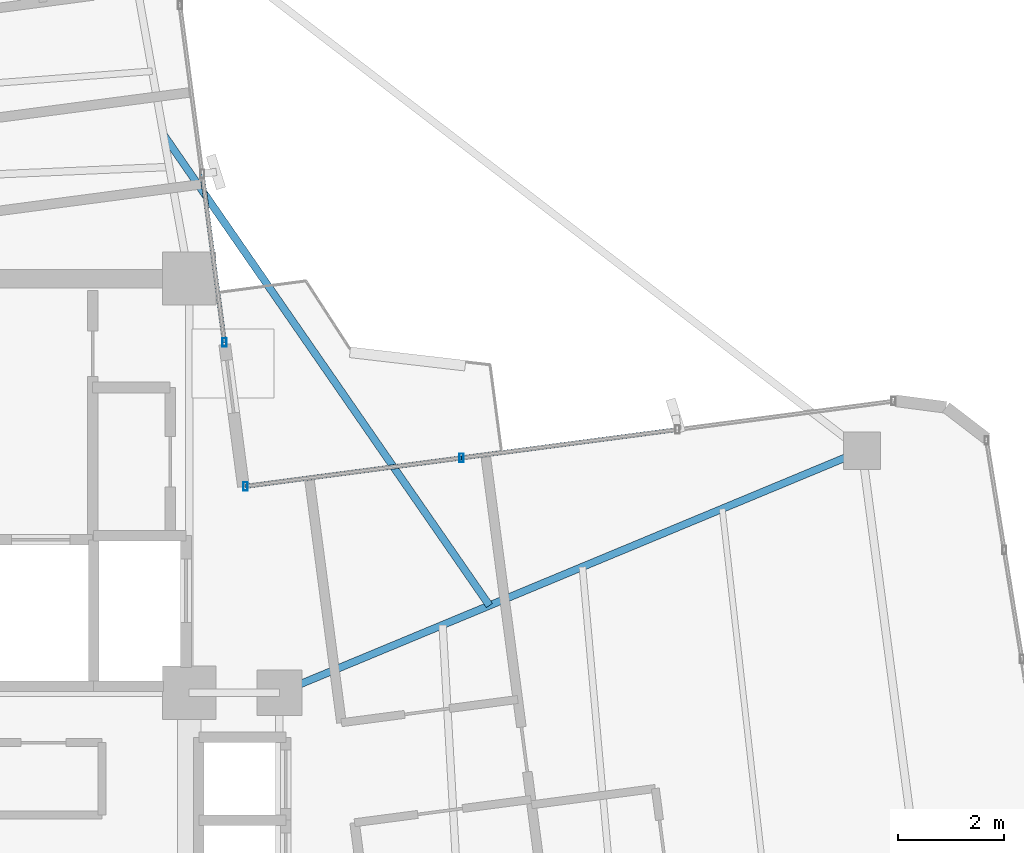
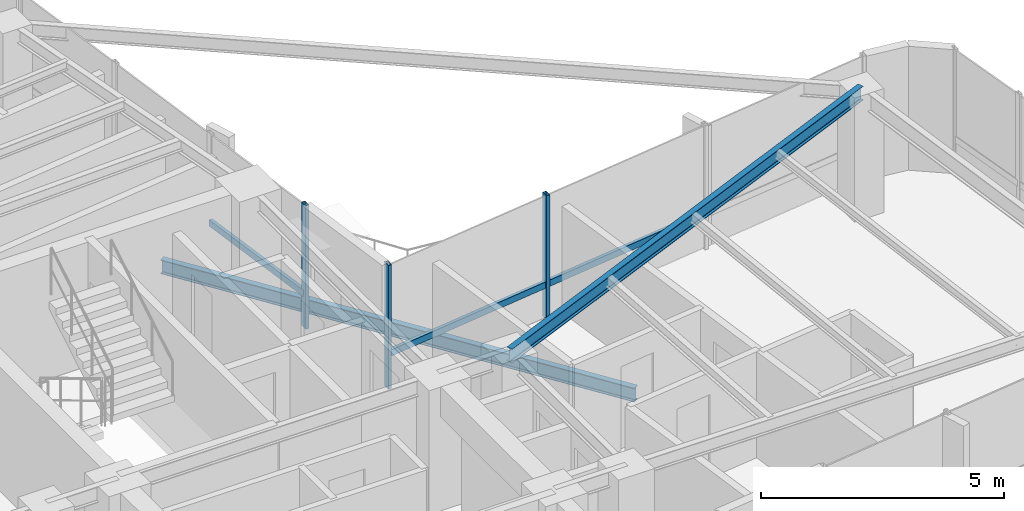
# One storey, part 11 of 22: 6 members, 2 beams, 2 elements without a shape of their own.
"""IFC4 building model written with IfcOpenShell, lengths in metres."""

import ifcopenshell
import ifcopenshell.guid

model = None  # the IFC model being written
_history = None  # IfcOwnerHistory: only IFC2X3 demands one
_inside = {}  # id of a spatial element -> (the spatial element, [elements in it])
_under = {}  # id of a project, library or spatial element -> (it, [spatial elements below it])
_declared = {}  # id of a project -> (the project, [libraries it declares])
_typed = {}  # id of a type object -> (the type object, [elements of that type])
_made_of = {}  # id of a material, layer set ... -> (it, [elements and type objects made of it])


def new_model(schema):
    """Start an empty IFC model of exactly this schema.

    Asked for "IFC4X3", IfcOpenShell would pick the latest addendum, in which some entities
    have other attributes; the version numbers below select the first issue.
    IFC2X3 requires an IfcOwnerHistory on every rooted entity: one is made here for all.
    """
    global model, _history
    if schema == "IFC4X3":
        model = ifcopenshell.file(schema_version=(4, 3, 0, 0))
    else:
        model = ifcopenshell.file(schema=schema)
    _inside.clear()
    _under.clear()
    _declared.clear()
    _typed.clear()
    _made_of.clear()
    _history = None
    if model.schema == "IFC2X3":
        org = make("IfcOrganization", Name="unknown")
        user = make(
            "IfcPersonAndOrganization",
            ThePerson=make("IfcPerson", FamilyName="unknown"),
            TheOrganization=org,
        )
        app = make(
            "IfcApplication",
            ApplicationDeveloper=org,
            Version="unknown",
            ApplicationFullName="unknown",
            ApplicationIdentifier="unknown",
        )
        _history = make(
            "IfcOwnerHistory",
            OwningUser=user,
            OwningApplication=app,
            ChangeAction="ADDED",
            CreationDate=0,
        )
    return model


def make(cls, **values):
    """One entity of the class cls with the attributes given. An attribute that is None is left unset."""
    return model.create_entity(
        cls, **{name: value for name, value in values.items() if value is not None}
    )


def rooted(cls, **values):
    """An entity with a GlobalId (a new one), such as an element, a storey or a relation."""
    return make(cls, GlobalId=ifcopenshell.guid.new(), OwnerHistory=_history, **values)


def si_unit(unit_type, name, prefix=None):
    """IfcSIUnit, for example si_unit("LENGTHUNIT", "METRE", prefix="MILLI")."""
    return make("IfcSIUnit", UnitType=unit_type, Prefix=prefix, Name=name)


def assignment(units):
    """IfcUnitAssignment: the units of a project."""
    return None if units is None else make("IfcUnitAssignment", Units=units)


def point(xyz):
    """IfcCartesianPoint."""
    return None if xyz is None else make("IfcCartesianPoint", Coordinates=xyz)


def direction(xyz):
    """IfcDirection."""
    return None if xyz is None else make("IfcDirection", DirectionRatios=xyz)


def frame(location, z_axis=None, x_axis=None):
    """IfcAxis2Placement3D, a coordinate frame: its origin and axes. An axis left out is left unset."""
    return make(
        "IfcAxis2Placement3D",
        Location=point(location),
        Axis=direction(z_axis),
        RefDirection=direction(x_axis),
    )


def frame_2d(location, x_axis=None):
    """IfcAxis2Placement2D, a coordinate frame in the plane: its origin and x axis."""
    return make(
        "IfcAxis2Placement2D", Location=point(location), RefDirection=direction(x_axis)
    )


def origin():
    """The frame at (0, 0, 0) with its axes left unset."""
    return frame((0.0, 0.0, 0.0))


def origin_2d():
    """The frame at (0, 0) in the plane with its x axis left unset."""
    return frame_2d((0.0, 0.0))


def place(relative_to, where):
    """IfcLocalPlacement: puts the frame where relative to a parent placement (None: the world)."""
    return make(
        "IfcLocalPlacement", PlacementRelTo=relative_to, RelativePlacement=where
    )


def context(
    kind, dimensions, precision=None, world=None, true_north=None, identifier=None
):
    """IfcGeometricRepresentationContext, for example the 3D "Model" context."""
    return make(
        "IfcGeometricRepresentationContext",
        ContextIdentifier=identifier,
        ContextType=kind,
        CoordinateSpaceDimension=dimensions,
        Precision=precision,
        WorldCoordinateSystem=world,
        TrueNorth=true_north,
    )


def subcontext(parent, identifier, kind, view, scale=None):
    """IfcGeometricRepresentationSubContext, for example "Body" below "Model"."""
    return make(
        "IfcGeometricRepresentationSubContext",
        ContextIdentifier=identifier,
        ContextType=kind,
        ParentContext=parent,
        TargetScale=scale,
        TargetView=view,
    )


def project(units=None, contexts=None):
    """IfcProject with its units and contexts."""
    return rooted(
        "IfcProject",
        Name="project",
        RepresentationContexts=contexts,
        UnitsInContext=assignment(units),
    )


def spatial(cls, under=None, at=None, **own):
    """A site, building, storey or space (cls), placed at a placement, below another one or the project."""
    s = rooted(cls, ObjectPlacement=at, **own)
    if under is not None:
        _under.setdefault(under.id(), (under, []))[1].append(s)
    return s


def profile(cls, at=None, kind="AREA", **sizes):
    """A parametric profile (cls). Its sizes go by their IFC names, for example OverallWidth=200.0."""
    return make(cls, ProfileType=kind, Position=at, **sizes)


def hollow_rectangle(**sizes):
    """IfcRectangleHollowProfileDef."""
    return profile("IfcRectangleHollowProfileDef", **sizes)


def i_section(**sizes):
    """IfcIShapeProfileDef."""
    return profile("IfcIShapeProfileDef", **sizes)


def extrude(swept, where, along, depth):
    """IfcExtrudedAreaSolid: the profile swept, set in the frame where, extruded along a direction by depth."""
    return make(
        "IfcExtrudedAreaSolid",
        SweptArea=swept,
        Position=where,
        ExtrudedDirection=direction(along),
        Depth=depth,
    )


def shape(context_of_items, identifier, shape_type, items):
    """IfcShapeRepresentation: the items that make up one representation, for example the "Body"."""
    return make(
        "IfcShapeRepresentation",
        ContextOfItems=context_of_items,
        RepresentationIdentifier=identifier,
        RepresentationType=shape_type,
        Items=items,
    )


def source(mapping_origin, context_of_items, identifier, shape_type, items):
    """IfcRepresentationMap: a shape defined once, which mapped items show again and again."""
    return make(
        "IfcRepresentationMap",
        MappingOrigin=mapping_origin,
        MappedRepresentation=shape(context_of_items, identifier, shape_type, items),
    )


def transform(
    local_origin,
    x_axis=None,
    y_axis=None,
    z_axis=None,
    scale=None,
    scale2=None,
    scale3=None,
    uniform=True,
):
    """IfcCartesianTransformationOperator3D, or its non-uniform kind. x_axis, y_axis, z_axis: its Axis1, 2, 3."""
    if uniform:
        return make(
            "IfcCartesianTransformationOperator3D",
            Axis1=direction(x_axis),
            Axis2=direction(y_axis),
            LocalOrigin=point(local_origin),
            Scale=scale,
            Axis3=direction(z_axis),
        )
    return make(
        "IfcCartesianTransformationOperator3DnonUniform",
        Axis1=direction(x_axis),
        Axis2=direction(y_axis),
        LocalOrigin=point(local_origin),
        Scale=scale,
        Axis3=direction(z_axis),
        Scale2=scale2,
        Scale3=scale3,
    )


def mapped(mapping_source, mapping_target):
    """IfcMappedItem: shows the shape of a source again, moved by a transform."""
    return make(
        "IfcMappedItem", MappingSource=mapping_source, MappingTarget=mapping_target
    )


def material(Name=None, Category=None):
    """IfcMaterial."""
    return make("IfcMaterial", Name=Name, Category=Category)


def material_profile(
    of_material, cross_section, Name=None, Category=None, Priority=None
):
    """IfcMaterialProfile: a cross section and its material."""
    return make(
        "IfcMaterialProfile",
        Name=Name,
        Material=of_material,
        Profile=cross_section,
        Priority=Priority,
        Category=Category,
    )


def profile_set(profiles, Name=None, composite=None):
    """IfcMaterialProfileSet."""
    return make(
        "IfcMaterialProfileSet",
        Name=Name,
        MaterialProfiles=profiles,
        CompositeProfile=composite,
    )


def made_of(thing, what):
    """Note that an element or type object is made of a material, layer set ...; save() writes the relation."""
    if what is not None:
        _made_of.setdefault(what.id(), (what, []))[1].append(thing)
    return thing


def type_object(cls, material=None, **own):
    """A type object (cls), such as IfcWallType, which elements share."""
    return made_of(rooted(cls, **own), material)


def element(
    cls,
    number,
    at=None,
    inside=None,
    cuts=None,
    type_object=None,
    material=None,
    context=None,
    identifier="Body",
    shape_type=None,
    held_by="IfcProductDefinitionShape",
    body=None,
    shapes=None,
    **own,
):
    """One element of the class cls, such as IfcWall. Its Tag is "e" and its number.

    at: its placement. inside: the storey or other place that contains it. cuts: it is an
    opening in that element (IfcRelVoidsElement). A single representation is given by context,
    identifier, shape_type and body (its items); several are given by shapes. held_by: the class
    of the entity that holds the representations. save() writes the other relations.
    """
    e = rooted(cls, Tag="e%d" % number, ObjectPlacement=at, **own)
    if body is not None:
        shapes = [shape(context, identifier, shape_type, body)]
    if shapes is not None:
        e.Representation = make(held_by, Representations=shapes)
    if inside is not None:
        _inside.setdefault(inside.id(), (inside, []))[1].append(e)
    if cuts is not None:
        rooted(
            "IfcRelVoidsElement", RelatingBuildingElement=cuts, RelatedOpeningElement=e
        )
    if type_object is not None:
        _typed.setdefault(type_object.id(), (type_object, []))[1].append(e)
    return made_of(e, material)


def aggregate(whole, parts):
    """IfcRelAggregates: a whole, such as a stair, and the parts it consists of."""
    return rooted("IfcRelAggregates", RelatingObject=whole, RelatedObjects=parts)


def save(model, path):
    """Write the relations noted so far, then the file.

    IfcRelAggregates (storeys below a building ...), IfcRelContainedInSpatialStructure (elements
    in a storey), IfcRelDefinesByType, IfcRelAssociatesMaterial and IfcRelDeclares: one each for
    every whole, place, type object, material and project.
    """
    for whole, parts in _under.values():
        aggregate(whole, parts)
    for where, things in _inside.values():
        rooted(
            "IfcRelContainedInSpatialStructure",
            RelatedElements=things,
            RelatingStructure=where,
        )
    for kind, things in _typed.values():
        rooted("IfcRelDefinesByType", RelatedObjects=things, RelatingType=kind)
    for what, things in _made_of.values():
        rooted("IfcRelAssociatesMaterial", RelatedObjects=things, RelatingMaterial=what)
    for by, libraries in _declared.values():
        rooted("IfcRelDeclares", RelatingContext=by, RelatedDefinitions=libraries)
    model.write(path)


model = new_model("IFC4")

# Units and contexts
model_context = context("Model", 3, precision=1e-05, world=origin(), true_north=direction((0.0, 1.0)))
body_context = subcontext(model_context, "Body", "Model", "MODEL_VIEW")
ifc_project = project(units=[si_unit("LENGTHUNIT", "METRE"), si_unit("AREAUNIT", "SQUARE_METRE"), si_unit("VOLUMEUNIT", "CUBIC_METRE"), si_unit("PLANEANGLEUNIT", "RADIAN"), si_unit("MASSUNIT", "GRAM", prefix="KILO")], contexts=[model_context])

# Site, building, storey
site_placement = place(None, origin())
site = spatial("IfcSite", under=ifc_project, at=site_placement, CompositionType="ELEMENT")
building_placement = place(site_placement, origin())
building = spatial("IfcBuilding", under=site, at=building_placement, Name="Sahyath Konkavel Grand Hotel", CompositionType="ELEMENT")
storey_placement = place(building_placement, frame((0.0, 0.0, 257.89990234375)))
storey = spatial("IfcBuildingStorey", under=building, at=storey_placement, Name="L72", CompositionType="ELEMENT", Elevation=257.89990234375)

# Beam
ifc_material_1 = material(Name="Steel E350", Category="steel")
ifc_material_profile_1 = material_profile(ifc_material_1, i_section(OverallWidth=0.139892578125, OverallDepth=0.35009765625, WebThickness=0.008056640625, FlangeThickness=0.01416015625, FilletRadius=0.013916015625, at=origin_2d()), Name="ISMB 350")
ifc_profile_set_1 = profile_set([ifc_material_profile_1], Name="Steel E350")
beam_type_1 = type_object("IfcBeamType", Name="BM-ISMB350", PredefinedType="BEAM", material=ifc_profile_set_1)
shared_shape_1 = source(origin(), body_context, "Body", "SweptSolid", [
    extrude(i_section(OverallWidth=0.139892578125, OverallDepth=0.35009765625, WebThickness=0.008056640625, FlangeThickness=0.01416015625, FilletRadius=0.013916015625, at=origin_2d()), origin(), (0.0, 0.0, 1.0), 11.882080078125),
])
beam_1_placement = place(storey_placement, frame((5.5, 2.39990234375, 2.93505859375), z_axis=(0.923435785797, 0.383752979804, 0.0), x_axis=(-0.383752979804, 0.923435785797, 0.0)))
element("IfcBeam", 1, at=beam_1_placement, inside=storey, type_object=beam_type_1, Name="L72 Cruciform Radial Girder EB", PredefinedType="BEAM", context=body_context, shape_type="MappedRepresentation", body=[
    mapped(shared_shape_1, transform((0.0, 0.0, 0.0), scale=1.0)),
])

# Curtain wall, members
ifc_material_2 = material(Name="Anodised Bronze Aluminium & Low-E Glazing", Category="aluminium")
curtain_wall_type = type_object("IfcCurtainWallType", Name="CW-ZONE4", PredefinedType="NOTDEFINED", material=ifc_material_2)
curtain_wall_1_placement = place(storey_placement, origin())
curtain_wall_1 = element("IfcCurtainWall", 2, at=curtain_wall_1_placement, inside=storey, type_object=curtain_wall_type, Name="L72 Unitised Curtain Wall F7", PredefinedType="NOTDEFINED")
ifc_material_3 = material(Name="Anodised Bronze Aluminium", Category="aluminium")
ifc_material_profile_2 = material_profile(ifc_material_3, hollow_rectangle(XDim=0.080078125, YDim=0.159912109375, WallThickness=0.006103515625, at=origin_2d()), Name="RHS 160x80x6")
ifc_profile_set_2 = profile_set([ifc_material_profile_2], Name="Anodised Bronze Aluminium")
member_type_1 = type_object("IfcMemberType", Name="CW-MUL-160", PredefinedType="MULLION", material=ifc_profile_set_2)
shared_shape_2 = source(origin(), body_context, "Body", "SweptSolid", [
    extrude(hollow_rectangle(XDim=0.080078125, YDim=0.159912109375, WallThickness=0.006103515625, at=origin_2d()), origin(), (0.0, 0.0, 1.0), 3.110107421875),
])
member_1_placement = place(storey_placement, frame((8.928955078125, 6.82373046875, 0.0), z_axis=(0.0, 0.0, 1.0), x_axis=(1.0, 0.0, 0.0)))
member_1 = element("IfcMember", 3, at=member_1_placement, type_object=member_type_1, Name="L72 Curtain Wall Mullion F7-2", PredefinedType="MULLION", context=body_context, shape_type="MappedRepresentation", body=[
    mapped(shared_shape_2, transform((0.0, 0.0, 0.0), scale=1.0)),
])
member_2_placement = place(storey_placement, frame((4.86083984375, 6.2880859375, 0.0), z_axis=(0.0, 0.0, 1.0), x_axis=(1.0, 0.0, 0.0)))
member_2 = element("IfcMember", 4, at=member_2_placement, type_object=member_type_1, Name="L72 Curtain Wall Mullion F7-3", PredefinedType="MULLION", context=body_context, shape_type="MappedRepresentation", body=[
    mapped(shared_shape_2, transform((0.0, 0.0, 0.0), scale=1.0)),
])

curtain_wall_2_placement = place(storey_placement, origin())
curtain_wall_2 = element("IfcCurtainWall", 5, at=curtain_wall_2_placement, inside=storey, type_object=curtain_wall_type, Name="L72 Unitised Curtain Wall F8", PredefinedType="NOTDEFINED")
member_3_placement = place(storey_placement, frame((4.46337890625, 8.99951171875, 0.0), z_axis=(0.0, 0.0, 1.0), x_axis=(1.0, 0.0, 0.0)))
member_3 = element("IfcMember", 6, at=member_3_placement, type_object=member_type_1, Name="L72 Curtain Wall Mullion F8-0", PredefinedType="MULLION", context=body_context, shape_type="MappedRepresentation", body=[
    mapped(shared_shape_2, transform((0.0, 0.0, 0.0), scale=1.0)),
])
ifc_material_profile_3 = material_profile(ifc_material_3, hollow_rectangle(XDim=0.080078125, YDim=0.159912109375, WallThickness=0.006103515625, at=origin_2d()), Name="RHS 160x80x6")
ifc_profile_set_3 = profile_set([ifc_material_profile_3], Name="Anodised Bronze Aluminium")
member_type_2 = type_object("IfcMemberType", Name="CW-TRN-160", PredefinedType="USERDEFINED", material=ifc_profile_set_3)
shared_shape_3 = source(origin(), body_context, "Body", "SweptSolid", [
    extrude(hollow_rectangle(XDim=0.080078125, YDim=0.159912109375, WallThickness=0.006103515625, at=origin_2d()), origin(), (0.0, 0.0, 1.0), 3.203369140625),
])
member_4_placement = place(storey_placement, frame((4.46337890625, 8.99951171875, 0.85009765625), z_axis=(-0.130476198668, 0.991451441867, 0.0), x_axis=(-0.991451441867, -0.130476198668, 0.0)))
member_4 = element("IfcMember", 7, at=member_4_placement, type_object=member_type_2, Name="L72 Curtain Wall Transom F8-0-spandrel", ObjectType="TRANSOM", PredefinedType="USERDEFINED", context=body_context, shape_type="MappedRepresentation", body=[
    mapped(shared_shape_3, transform((0.0, 0.0, 0.0), scale=1.0)),
])
aggregate(curtain_wall_2, [member_3, member_4])

# Member
shared_shape_4 = source(origin(), body_context, "Body", "SweptSolid", [
    extrude(hollow_rectangle(XDim=0.080078125, YDim=0.159912109375, WallThickness=0.006103515625, at=origin_2d()), origin(), (0.0, 0.0, 1.0), 4.103271484375),
])
member_5_placement = place(storey_placement, frame((8.928955078125, 6.82373046875, 0.85009765625), z_axis=(-0.991442748161, -0.130542242661, 0.0), x_axis=(0.130542242661, -0.991442748161, 0.0)))
member_5 = element("IfcMember", 8, at=member_5_placement, type_object=member_type_2, Name="L72 Curtain Wall Transom F7-2-spandrel", ObjectType="TRANSOM", PredefinedType="USERDEFINED", context=body_context, shape_type="MappedRepresentation", body=[
    mapped(shared_shape_4, transform((0.0, 0.0, 0.0), scale=1.0)),
])

shared_shape_5 = source(origin(), body_context, "Body", "SweptSolid", [
    extrude(hollow_rectangle(XDim=0.080078125, YDim=0.159912109375, WallThickness=0.006103515625, at=origin_2d()), origin(), (0.0, 0.0, 1.0), 4.103515625),
])
member_6_placement = place(storey_placement, frame((12.997314453125, 7.359619140625, 0.85009765625), z_axis=(-0.991436060505, -0.130593024052, 0.0), x_axis=(0.130593024052, -0.991436060505, 0.0)))
member_6 = element("IfcMember", 9, at=member_6_placement, type_object=member_type_2, Name="L72 Curtain Wall Transom F7-1-spandrel", ObjectType="TRANSOM", PredefinedType="USERDEFINED", context=body_context, shape_type="MappedRepresentation", body=[
    mapped(shared_shape_5, transform((0.0, 0.0, 0.0), scale=1.0)),
])

aggregate(curtain_wall_1, [member_1, member_2, member_6, member_5])

# Beam
ifc_material_profile_4 = material_profile(ifc_material_1, i_section(OverallWidth=0.139892578125, OverallDepth=0.35009765625, WebThickness=0.008056640625, FlangeThickness=0.01416015625, FilletRadius=0.013916015625, at=origin_2d()), Name="ISMB 350")
ifc_profile_set_4 = profile_set([ifc_material_profile_4], Name="Steel E350")
beam_type_2 = type_object("IfcBeamType", Name="BM-BALC-CANT", PredefinedType="BEAM", material=ifc_profile_set_4)
shared_shape_6 = source(origin(), body_context, "Body", "SweptSolid", [
    extrude(i_section(OverallWidth=0.139892578125, OverallDepth=0.35009765625, WebThickness=0.008056640625, FlangeThickness=0.01416015625, FilletRadius=0.013916015625, at=origin_2d()), origin(), (0.0, 0.0, 1.0), 10.7822265625),
])
beam_2_placement = place(storey_placement, frame((9.45458984375, 4.04345703125, -0.414794921875), z_axis=(-0.569126378729, 0.82225006235, 0.0), x_axis=(-0.82225006235, -0.569126378729, 0.0)))
element("IfcBeam", 10, at=beam_2_placement, inside=storey, type_object=beam_type_2, Name="L72 Balcony Cantilever Support Beam NE", PredefinedType="BEAM", context=body_context, shape_type="MappedRepresentation", body=[
    mapped(shared_shape_6, transform((0.0, 0.0, 0.0), scale=1.0)),
])

save(model, "model.ifc")
